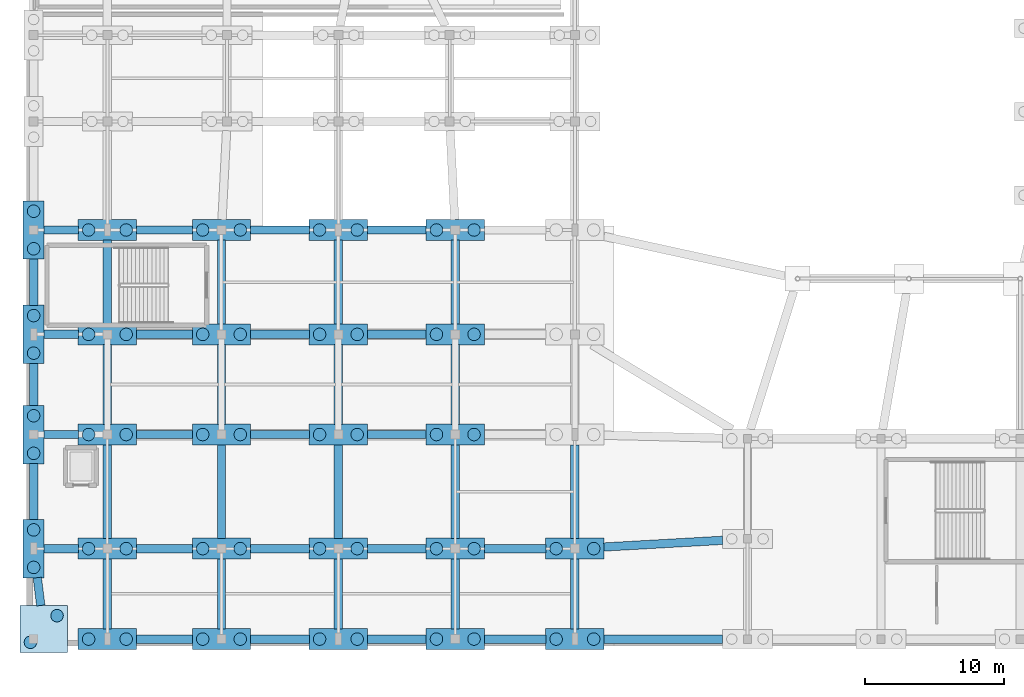
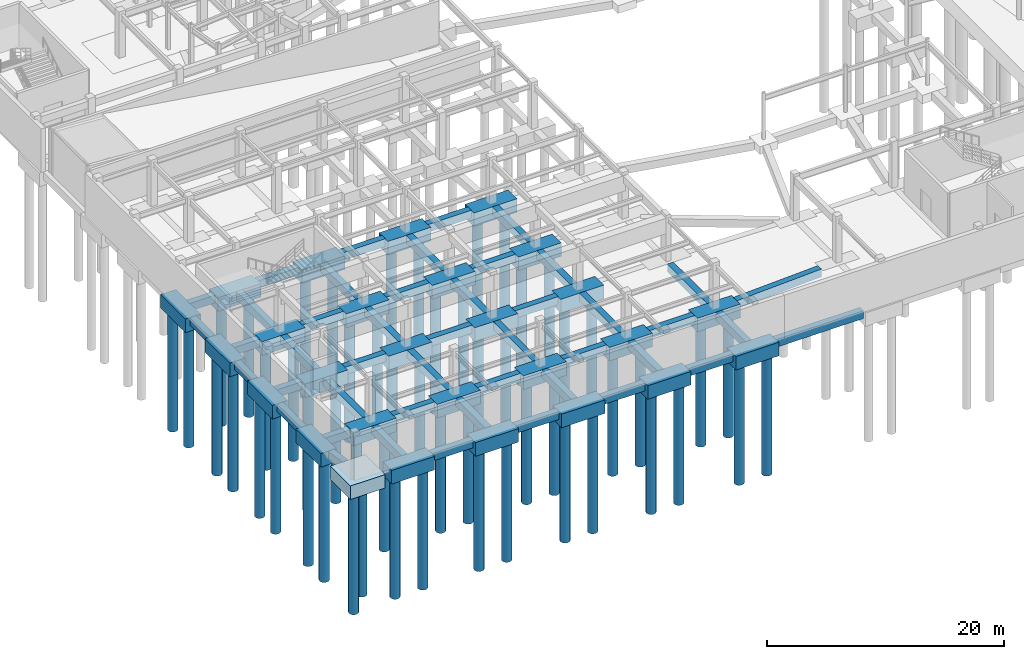
# One storey, part 1 of 68: 72 footings, 54 piles.
"""IFC4 building model written with IfcOpenShell, lengths in metres."""

from ifc_helpers import new_model, si_unit, direction, frame, origin, origin_2d, place, context, subcontext, project, spatial, rectangle, circle, extrude, material, layer, layer_set, material_profile, profile_set, type_object, element, save


model = new_model("IFC4")

# Units and contexts
model_context = context("Model", 3, precision=1e-05, world=origin(), true_north=direction((0.0, 1.0)))
body_context = subcontext(model_context, "Body", "Model", "MODEL_VIEW")
ifc_project = project(units=[si_unit("LENGTHUNIT", "METRE"), si_unit("AREAUNIT", "SQUARE_METRE"), si_unit("VOLUMEUNIT", "CUBIC_METRE"), si_unit("PLANEANGLEUNIT", "RADIAN"), si_unit("MASSUNIT", "GRAM", prefix="KILO")], contexts=[model_context])

# Site, building, storey
site_placement = place(None, origin())
site = spatial("IfcSite", under=ifc_project, at=site_placement, CompositionType="ELEMENT")
building_placement = place(site_placement, origin())
building = spatial("IfcBuilding", under=site, at=building_placement, Name="Cinderbank Siding Concert Hall", CompositionType="ELEMENT")
storey_placement = place(building_placement, frame((0.0, 0.0, -4.800048828125)))
storey = spatial("IfcBuildingStorey", under=building, at=storey_placement, Name="B1", CompositionType="ELEMENT", Elevation=-4.800048828125)

# Piles
ifc_material = material(Name="Reinforced concrete AS 3600 N40 (40 MPa)", Category="concrete")
ifc_material_profile_1 = material_profile(ifc_material, circle(Radius=0.449951171875, at=origin_2d()), Name="PILE-900DIA", Category="LoadBearing")
ifc_profile_set_1 = profile_set([ifc_material_profile_1], Name="Reinforced concrete AS 3600 N40 (40 MPa)")
pile_type = type_object("IfcPileType", Name="BP-900 Bored Pile 900mm", PredefinedType="BORED", material=ifc_profile_set_1)
for number, where, z_axis, x_axis, name in (
    (1, (6.8701171875, 5.8701171875, -1.300048828125), (0.0, 0.0, -1.0), (1.0, 0.0, 0.0), "Bored Pile BP-900 #222"),
    (2, (8.780029296875, 7.780029296875, -1.300048828125), (0.0, 0.0, -1.0), (1.0, 0.0, 0.0), "Bored Pile BP-900 #223"),
    (3, (7.10009765625, 11.25, -1.300048828125), (0.0, 0.0, -1.0), (1.0, 0.0, 0.0), "Bored Pile BP-900 #224"),
    (4, (7.10009765625, 13.949951171875, -1.300048828125), (0.0, 0.0, -1.0), (1.0, 0.0, 0.0), "Bored Pile BP-900 #225"),
    (5, (7.10009765625, 19.449951171875, -1.300048828125), (0.0, 0.0, -1.0), (1.0, 0.0, 0.0), "Bored Pile BP-900 #226"),
    (6, (7.10009765625, 22.14990234375, -1.300048828125), (0.0, 0.0, -1.0), (1.0, 0.0, 0.0), "Bored Pile BP-900 #227"),
    (7, (7.10009765625, 26.64990234375, -1.300048828125), (0.0, 0.0, -1.0), (1.0, 0.0, 0.0), "Bored Pile BP-900 #228"),
    (8, (7.10009765625, 29.35009765625, -1.300048828125), (0.0, 0.0, -1.0), (1.0, 0.0, 0.0), "Bored Pile BP-900 #229"),
    (9, (7.10009765625, 34.14990234375, -1.300048828125), (0.0, 0.0, -1.0), (1.0, 0.0, 0.0), "Bored Pile BP-900 #230"),
    (10, (7.10009765625, 36.85009765625, -1.300048828125), (0.0, 0.0, -1.0), (1.0, 0.0, 0.0), "Bored Pile BP-900 #231"),
    (11, (11.050048828125, 6.10009765625, -1.300048828125), (0.0, 0.0, -1.0), (1.0, 0.0, 0.0), "Bored Pile BP-900 #232"),
    (12, (13.75, 6.10009765625, -1.300048828125), (0.0, 0.0, -1.0), (1.0, 0.0, 0.0), "Bored Pile BP-900 #233"),
    (13, (11.050048828125, 12.60009765625, -1.300048828125), (0.0, 0.0, -1.0), (1.0, 0.0, 0.0), "Bored Pile BP-900 #234"),
    (14, (13.75, 12.60009765625, -1.300048828125), (0.0, 0.0, -1.0), (1.0, 0.0, 0.0), "Bored Pile BP-900 #235"),
    (15, (11.050048828125, 20.800048828125, -1.300048828125), (0.0, 0.0, -1.0), (1.0, 0.0, 0.0), "Bored Pile BP-900 #236"),
    (16, (13.75, 20.800048828125, -1.300048828125), (0.0, 0.0, -1.0), (1.0, 0.0, 0.0), "Bored Pile BP-900 #237"),
    (17, (11.050048828125, 28.0, -1.300048828125), (0.0, 0.0, -1.0), (1.0, 0.0, 0.0), "Bored Pile BP-900 #238"),
    (18, (13.75, 28.0, -1.300048828125), (0.0, 0.0, -1.0), (1.0, 0.0, 0.0), "Bored Pile BP-900 #239"),
    (19, (11.050048828125, 35.5, -1.300048828125), (0.0, 0.0, -1.0), (1.0, 0.0, 0.0), "Bored Pile BP-900 #240"),
    (20, (13.75, 35.5, -1.300048828125), (0.0, 0.0, -1.0), (1.0, 0.0, 0.0), "Bored Pile BP-900 #241"),
    (21, (19.25, 6.10009765625, -1.300048828125), (0.0, 0.0, -1.0), (1.0, 0.0, 0.0), "Bored Pile BP-900 #242"),
    (22, (21.949951171875, 6.10009765625, -1.300048828125), (0.0, 0.0, -1.0), (1.0, 0.0, 0.0), "Bored Pile BP-900 #243"),
    (23, (19.25, 12.60009765625, -1.300048828125), (0.0, 0.0, -1.0), (1.0, 0.0, 0.0), "Bored Pile BP-900 #244"),
    (24, (21.949951171875, 12.60009765625, -1.300048828125), (0.0, 0.0, -1.0), (1.0, 0.0, 0.0), "Bored Pile BP-900 #245"),
    (25, (19.25, 20.800048828125, -1.300048828125), (0.0, 0.0, -1.0), (1.0, 0.0, 0.0), "Bored Pile BP-900 #246"),
    (26, (21.949951171875, 20.800048828125, -1.300048828125), (0.0, 0.0, -1.0), (1.0, 0.0, 0.0), "Bored Pile BP-900 #247"),
    (27, (19.25, 28.0, -1.300048828125), (0.0, 0.0, -1.0), (1.0, 0.0, 0.0), "Bored Pile BP-900 #248"),
    (28, (21.949951171875, 28.0, -1.300048828125), (0.0, 0.0, -1.0), (1.0, 0.0, 0.0), "Bored Pile BP-900 #249"),
    (29, (19.25, 35.5, -1.300048828125), (0.0, 0.0, -1.0), (1.0, 0.0, 0.0), "Bored Pile BP-900 #250"),
    (30, (21.949951171875, 35.5, -1.300048828125), (0.0, 0.0, -1.0), (1.0, 0.0, 0.0), "Bored Pile BP-900 #251"),
    (31, (27.64990234375, 6.10009765625, -1.300048828125), (0.0, 0.0, -1.0), (1.0, 0.0, 0.0), "Bored Pile BP-900 #252"),
    (32, (30.35009765625, 6.10009765625, -1.300048828125), (0.0, 0.0, -1.0), (1.0, 0.0, 0.0), "Bored Pile BP-900 #253"),
    (33, (27.64990234375, 12.60009765625, -1.300048828125), (0.0, 0.0, -1.0), (1.0, 0.0, 0.0), "Bored Pile BP-900 #254"),
    (34, (30.35009765625, 12.60009765625, -1.300048828125), (0.0, 0.0, -1.0), (1.0, 0.0, 0.0), "Bored Pile BP-900 #255"),
    (35, (27.64990234375, 20.800048828125, -1.300048828125), (0.0, 0.0, -1.0), (1.0, 0.0, 0.0), "Bored Pile BP-900 #256"),
    (36, (30.35009765625, 20.800048828125, -1.300048828125), (0.0, 0.0, -1.0), (1.0, 0.0, 0.0), "Bored Pile BP-900 #257"),
    (37, (27.64990234375, 28.0, -1.300048828125), (0.0, 0.0, -1.0), (1.0, 0.0, 0.0), "Bored Pile BP-900 #258"),
    (38, (30.35009765625, 28.0, -1.300048828125), (0.0, 0.0, -1.0), (1.0, 0.0, 0.0), "Bored Pile BP-900 #259"),
    (39, (27.64990234375, 35.5, -1.300048828125), (0.0, 0.0, -1.0), (1.0, 0.0, 0.0), "Bored Pile BP-900 #260"),
    (40, (30.35009765625, 35.5, -1.300048828125), (0.0, 0.0, -1.0), (1.0, 0.0, 0.0), "Bored Pile BP-900 #261"),
    (41, (36.050048828125, 6.10009765625, -1.300048828125), (0.0, 0.0, -1.0), (1.0, 0.0, 0.0), "Bored Pile BP-900 #262"),
    (42, (38.75, 6.10009765625, -1.300048828125), (0.0, 0.0, -1.0), (1.0, 0.0, 0.0), "Bored Pile BP-900 #263"),
    (43, (36.050048828125, 12.60009765625, -1.300048828125), (0.0, 0.0, -1.0), (1.0, 0.0, 0.0), "Bored Pile BP-900 #264"),
    (44, (38.75, 12.60009765625, -1.300048828125), (0.0, 0.0, -1.0), (1.0, 0.0, 0.0), "Bored Pile BP-900 #265"),
    (45, (36.050048828125, 20.800048828125, -1.300048828125), (0.0, 0.0, -1.0), (1.0, 0.0, 0.0), "Bored Pile BP-900 #266"),
    (46, (38.75, 20.800048828125, -1.300048828125), (0.0, 0.0, -1.0), (1.0, 0.0, 0.0), "Bored Pile BP-900 #267"),
    (47, (36.050048828125, 28.0, -1.300048828125), (0.0, 0.0, -1.0), (1.0, 0.0, 0.0), "Bored Pile BP-900 #268"),
    (48, (38.75, 28.0, -1.300048828125), (0.0, 0.0, -1.0), (1.0, 0.0, 0.0), "Bored Pile BP-900 #269"),
    (49, (36.050048828125, 35.5, -1.300048828125), (0.0, 0.0, -1.0), (1.0, 0.0, 0.0), "Bored Pile BP-900 #270"),
    (50, (38.75, 35.5, -1.300048828125), (0.0, 0.0, -1.0), (1.0, 0.0, 0.0), "Bored Pile BP-900 #271"),
    (51, (44.64990234375, 6.10009765625, -1.300048828125), (0.0, 0.0, -1.0), (1.0, 0.0, 0.0), "Bored Pile BP-900 #272"),
    (52, (47.35009765625, 6.10009765625, -1.300048828125), (0.0, 0.0, -1.0), (1.0, 0.0, 0.0), "Bored Pile BP-900 #273"),
    (53, (44.64990234375, 12.60009765625, -1.300048828125), (0.0, 0.0, -1.0), (1.0, 0.0, 0.0), "Bored Pile BP-900 #274"),
    (54, (47.35009765625, 12.60009765625, -1.300048828125), (0.0, 0.0, -1.0), (1.0, 0.0, 0.0), "Bored Pile BP-900 #275"),
):
    element("IfcPile", number, at=place(storey_placement, frame(where, z_axis=z_axis, x_axis=x_axis)), inside=storey, type_object=pile_type, Name=name, PredefinedType="BORED", context=body_context, shape_type="SweptSolid", body=[
        extrude(circle(Radius=0.449951171875, at=origin_2d()), origin(), (0.0, 0.0, 1.0), 12.39990234375),
    ])

# Footings
ifc_material_profile_2 = material_profile(ifc_material, rectangle(XDim=0.60009765625, YDim=0.800048828125, at=origin_2d()), Name="RC-FB-600x800", Category="LoadBearing")
ifc_profile_set_2 = profile_set([ifc_material_profile_2], Name="Reinforced concrete AS 3600 N40 (40 MPa)")
footing_type_1 = type_object("IfcFootingType", Name="FB-01 Tie Beam 600x800", PredefinedType="FOOTING_BEAM", material=ifc_profile_set_2)
footing_1_placement = place(storey_placement, frame((7.61279296875, 8.51513671875, -0.39990234375), z_axis=(-0.124526713542, 0.992216255468, 0.0), x_axis=(-0.992216255468, -0.124526713542, 0.0)))
element("IfcFooting", 55, at=footing_1_placement, inside=storey, type_object=footing_type_1, Name="Foundation Tie Beam #19", PredefinedType="FOOTING_BEAM", context=body_context, shape_type="SweptSolid", body=[
    extrude(rectangle(XDim=0.60009765625, YDim=0.800048828125, at=origin_2d()), origin(), (0.0, 0.0, 1.0), 2.015380859375),
])
footing_2_placement = place(storey_placement, frame((7.8349609375, 12.60009765625, -0.39990234375), z_axis=(1.0, 0.0, 0.0), x_axis=(0.0, 1.0, 0.0)))
element("IfcFooting", 56, at=footing_2_placement, inside=storey, type_object=footing_type_1, Name="Foundation Tie Beam #20", PredefinedType="FOOTING_BEAM", context=body_context, shape_type="SweptSolid", body=[
    extrude(rectangle(XDim=0.60009765625, YDim=0.800048828125, at=origin_2d()), origin(), (0.0, 0.0, 1.0), 2.47998046875),
])
footing_3_placement = place(storey_placement, frame((7.10009765625, 14.68505859375, -0.39990234375), z_axis=(0.0, 1.0, 0.0), x_axis=(-1.0, 0.0, 0.0)))
element("IfcFooting", 57, at=footing_3_placement, inside=storey, type_object=footing_type_1, Name="Foundation Tie Beam #21", PredefinedType="FOOTING_BEAM", context=body_context, shape_type="SweptSolid", body=[
    extrude(rectangle(XDim=0.60009765625, YDim=0.800048828125, at=origin_2d()), origin(), (0.0, 0.0, 1.0), 4.030029296875),
])
footing_4_placement = place(storey_placement, frame((7.8349609375, 20.800048828125, -0.39990234375), z_axis=(1.0, 0.0, 0.0), x_axis=(0.0, 1.0, 0.0)))
element("IfcFooting", 58, at=footing_4_placement, inside=storey, type_object=footing_type_1, Name="Foundation Tie Beam #22", PredefinedType="FOOTING_BEAM", context=body_context, shape_type="SweptSolid", body=[
    extrude(rectangle(XDim=0.60009765625, YDim=0.800048828125, at=origin_2d()), origin(), (0.0, 0.0, 1.0), 2.47998046875),
])
footing_5_placement = place(storey_placement, frame((7.10009765625, 22.885009765625, -0.39990234375), z_axis=(0.0, 1.0, 0.0), x_axis=(-1.0, 0.0, 0.0)))
element("IfcFooting", 59, at=footing_5_placement, inside=storey, type_object=footing_type_1, Name="Foundation Tie Beam #23", PredefinedType="FOOTING_BEAM", context=body_context, shape_type="SweptSolid", body=[
    extrude(rectangle(XDim=0.60009765625, YDim=0.800048828125, at=origin_2d()), origin(), (0.0, 0.0, 1.0), 3.030029296875),
])
footing_6_placement = place(storey_placement, frame((7.8349609375, 28.0, -0.39990234375), z_axis=(1.0, 0.0, 0.0), x_axis=(0.0, 1.0, 0.0)))
element("IfcFooting", 60, at=footing_6_placement, inside=storey, type_object=footing_type_1, Name="Foundation Tie Beam #24", PredefinedType="FOOTING_BEAM", context=body_context, shape_type="SweptSolid", body=[
    extrude(rectangle(XDim=0.60009765625, YDim=0.800048828125, at=origin_2d()), origin(), (0.0, 0.0, 1.0), 2.47998046875),
])
footing_7_placement = place(storey_placement, frame((7.10009765625, 30.0849609375, -0.39990234375), z_axis=(0.0, 1.0, 0.0), x_axis=(-1.0, 0.0, 0.0)))
element("IfcFooting", 61, at=footing_7_placement, inside=storey, type_object=footing_type_1, Name="Foundation Tie Beam #25", PredefinedType="FOOTING_BEAM", context=body_context, shape_type="SweptSolid", body=[
    extrude(rectangle(XDim=0.60009765625, YDim=0.800048828125, at=origin_2d()), origin(), (0.0, 0.0, 1.0), 3.330078125),
])
footing_8_placement = place(storey_placement, frame((7.8349609375, 35.5, -0.39990234375), z_axis=(1.0, 0.0, 0.0), x_axis=(0.0, 1.0, 0.0)))
element("IfcFooting", 62, at=footing_8_placement, inside=storey, type_object=footing_type_1, Name="Foundation Tie Beam #26", PredefinedType="FOOTING_BEAM", context=body_context, shape_type="SweptSolid", body=[
    extrude(rectangle(XDim=0.60009765625, YDim=0.800048828125, at=origin_2d()), origin(), (0.0, 0.0, 1.0), 2.47998046875),
])
footing_9_placement = place(storey_placement, frame((14.485107421875, 6.10009765625, -0.39990234375), z_axis=(1.0, 0.0, 0.0), x_axis=(0.0, 1.0, 0.0)))
element("IfcFooting", 63, at=footing_9_placement, inside=storey, type_object=footing_type_1, Name="Foundation Tie Beam #28", PredefinedType="FOOTING_BEAM", context=body_context, shape_type="SweptSolid", body=[
    extrude(rectangle(XDim=0.60009765625, YDim=0.800048828125, at=origin_2d()), origin(), (0.0, 0.0, 1.0), 4.02978515625),
])
footing_10_placement = place(storey_placement, frame((12.39990234375, 6.8349609375, -0.39990234375), z_axis=(0.0, 1.0, 0.0), x_axis=(-1.0, 0.0, 0.0)))
element("IfcFooting", 64, at=footing_10_placement, inside=storey, type_object=footing_type_1, Name="Foundation Tie Beam #29", PredefinedType="FOOTING_BEAM", context=body_context, shape_type="SweptSolid", body=[
    extrude(rectangle(XDim=0.60009765625, YDim=0.800048828125, at=origin_2d()), origin(), (0.0, 0.0, 1.0), 5.030029296875),
])
footing_11_placement = place(storey_placement, frame((14.485107421875, 12.60009765625, -0.39990234375), z_axis=(1.0, 0.0, 0.0), x_axis=(0.0, 1.0, 0.0)))
element("IfcFooting", 65, at=footing_11_placement, inside=storey, type_object=footing_type_1, Name="Foundation Tie Beam #30", PredefinedType="FOOTING_BEAM", context=body_context, shape_type="SweptSolid", body=[
    extrude(rectangle(XDim=0.60009765625, YDim=0.800048828125, at=origin_2d()), origin(), (0.0, 0.0, 1.0), 4.02978515625),
])
footing_12_placement = place(storey_placement, frame((12.39990234375, 13.3349609375, -0.39990234375), z_axis=(0.0, 1.0, 0.0), x_axis=(-1.0, 0.0, 0.0)))
element("IfcFooting", 66, at=footing_12_placement, inside=storey, type_object=footing_type_1, Name="Foundation Tie Beam #31", PredefinedType="FOOTING_BEAM", context=body_context, shape_type="SweptSolid", body=[
    extrude(rectangle(XDim=0.60009765625, YDim=0.800048828125, at=origin_2d()), origin(), (0.0, 0.0, 1.0), 6.72998046875),
])
footing_13_placement = place(storey_placement, frame((14.485107421875, 20.800048828125, -0.39990234375), z_axis=(1.0, 0.0, 0.0), x_axis=(0.0, 1.0, 0.0)))
element("IfcFooting", 67, at=footing_13_placement, inside=storey, type_object=footing_type_1, Name="Foundation Tie Beam #32", PredefinedType="FOOTING_BEAM", context=body_context, shape_type="SweptSolid", body=[
    extrude(rectangle(XDim=0.60009765625, YDim=0.800048828125, at=origin_2d()), origin(), (0.0, 0.0, 1.0), 4.02978515625),
])
footing_14_placement = place(storey_placement, frame((12.39990234375, 21.534912109375, -0.39990234375), z_axis=(0.0, 1.0, 0.0), x_axis=(-1.0, 0.0, 0.0)))
element("IfcFooting", 68, at=footing_14_placement, inside=storey, type_object=footing_type_1, Name="Foundation Tie Beam #33", PredefinedType="FOOTING_BEAM", context=body_context, shape_type="SweptSolid", body=[
    extrude(rectangle(XDim=0.60009765625, YDim=0.800048828125, at=origin_2d()), origin(), (0.0, 0.0, 1.0), 5.72998046875),
])
footing_15_placement = place(storey_placement, frame((14.485107421875, 28.0, -0.39990234375), z_axis=(1.0, 0.0, 0.0), x_axis=(0.0, 1.0, 0.0)))
element("IfcFooting", 69, at=footing_15_placement, inside=storey, type_object=footing_type_1, Name="Foundation Tie Beam #34", PredefinedType="FOOTING_BEAM", context=body_context, shape_type="SweptSolid", body=[
    extrude(rectangle(XDim=0.60009765625, YDim=0.800048828125, at=origin_2d()), origin(), (0.0, 0.0, 1.0), 4.02978515625),
])
footing_16_placement = place(storey_placement, frame((12.39990234375, 28.735107421875, -0.39990234375), z_axis=(0.0, 1.0, 0.0), x_axis=(-1.0, 0.0, 0.0)))
element("IfcFooting", 70, at=footing_16_placement, inside=storey, type_object=footing_type_1, Name="Foundation Tie Beam #35", PredefinedType="FOOTING_BEAM", context=body_context, shape_type="SweptSolid", body=[
    extrude(rectangle(XDim=0.60009765625, YDim=0.800048828125, at=origin_2d()), origin(), (0.0, 0.0, 1.0), 6.02978515625),
])
footing_17_placement = place(storey_placement, frame((14.485107421875, 35.5, -0.39990234375), z_axis=(1.0, 0.0, 0.0), x_axis=(0.0, 1.0, 0.0)))
element("IfcFooting", 71, at=footing_17_placement, inside=storey, type_object=footing_type_1, Name="Foundation Tie Beam #36", PredefinedType="FOOTING_BEAM", context=body_context, shape_type="SweptSolid", body=[
    extrude(rectangle(XDim=0.60009765625, YDim=0.800048828125, at=origin_2d()), origin(), (0.0, 0.0, 1.0), 4.02978515625),
])
footing_18_placement = place(storey_placement, frame((22.68505859375, 6.10009765625, -0.39990234375), z_axis=(1.0, 0.0, 0.0), x_axis=(0.0, 1.0, 0.0)))
element("IfcFooting", 72, at=footing_18_placement, inside=storey, type_object=footing_type_1, Name="Foundation Tie Beam #38", PredefinedType="FOOTING_BEAM", context=body_context, shape_type="SweptSolid", body=[
    extrude(rectangle(XDim=0.60009765625, YDim=0.800048828125, at=origin_2d()), origin(), (0.0, 0.0, 1.0), 4.22998046875),
])
footing_19_placement = place(storey_placement, frame((20.60009765625, 6.8349609375, -0.39990234375), z_axis=(0.0, 1.0, 0.0), x_axis=(-1.0, 0.0, 0.0)))
element("IfcFooting", 73, at=footing_19_placement, inside=storey, type_object=footing_type_1, Name="Foundation Tie Beam #39", PredefinedType="FOOTING_BEAM", context=body_context, shape_type="SweptSolid", body=[
    extrude(rectangle(XDim=0.60009765625, YDim=0.800048828125, at=origin_2d()), origin(), (0.0, 0.0, 1.0), 5.030029296875),
])
footing_20_placement = place(storey_placement, frame((22.68505859375, 12.60009765625, -0.39990234375), z_axis=(1.0, 0.0, 0.0), x_axis=(0.0, 1.0, 0.0)))
element("IfcFooting", 74, at=footing_20_placement, inside=storey, type_object=footing_type_1, Name="Foundation Tie Beam #40", PredefinedType="FOOTING_BEAM", context=body_context, shape_type="SweptSolid", body=[
    extrude(rectangle(XDim=0.60009765625, YDim=0.800048828125, at=origin_2d()), origin(), (0.0, 0.0, 1.0), 4.22998046875),
])
footing_21_placement = place(storey_placement, frame((20.60009765625, 13.3349609375, -0.39990234375), z_axis=(0.0, 1.0, 0.0), x_axis=(-1.0, 0.0, 0.0)))
element("IfcFooting", 75, at=footing_21_placement, inside=storey, type_object=footing_type_1, Name="Foundation Tie Beam #41", PredefinedType="FOOTING_BEAM", context=body_context, shape_type="SweptSolid", body=[
    extrude(rectangle(XDim=0.60009765625, YDim=0.800048828125, at=origin_2d()), origin(), (0.0, 0.0, 1.0), 6.72998046875),
])
footing_22_placement = place(storey_placement, frame((22.68505859375, 20.800048828125, -0.39990234375), z_axis=(1.0, 0.0, 0.0), x_axis=(0.0, 1.0, 0.0)))
element("IfcFooting", 76, at=footing_22_placement, inside=storey, type_object=footing_type_1, Name="Foundation Tie Beam #42", PredefinedType="FOOTING_BEAM", context=body_context, shape_type="SweptSolid", body=[
    extrude(rectangle(XDim=0.60009765625, YDim=0.800048828125, at=origin_2d()), origin(), (0.0, 0.0, 1.0), 4.22998046875),
])
footing_23_placement = place(storey_placement, frame((20.60009765625, 21.534912109375, -0.39990234375), z_axis=(0.0, 1.0, 0.0), x_axis=(-1.0, 0.0, 0.0)))
element("IfcFooting", 77, at=footing_23_placement, inside=storey, type_object=footing_type_1, Name="Foundation Tie Beam #43", PredefinedType="FOOTING_BEAM", context=body_context, shape_type="SweptSolid", body=[
    extrude(rectangle(XDim=0.60009765625, YDim=0.800048828125, at=origin_2d()), origin(), (0.0, 0.0, 1.0), 5.72998046875),
])
footing_24_placement = place(storey_placement, frame((22.68505859375, 28.0, -0.39990234375), z_axis=(1.0, 0.0, 0.0), x_axis=(0.0, 1.0, 0.0)))
element("IfcFooting", 78, at=footing_24_placement, inside=storey, type_object=footing_type_1, Name="Foundation Tie Beam #44", PredefinedType="FOOTING_BEAM", context=body_context, shape_type="SweptSolid", body=[
    extrude(rectangle(XDim=0.60009765625, YDim=0.800048828125, at=origin_2d()), origin(), (0.0, 0.0, 1.0), 4.22998046875),
])
footing_25_placement = place(storey_placement, frame((20.60009765625, 28.735107421875, -0.39990234375), z_axis=(0.0, 1.0, 0.0), x_axis=(-1.0, 0.0, 0.0)))
element("IfcFooting", 79, at=footing_25_placement, inside=storey, type_object=footing_type_1, Name="Foundation Tie Beam #45", PredefinedType="FOOTING_BEAM", context=body_context, shape_type="SweptSolid", body=[
    extrude(rectangle(XDim=0.60009765625, YDim=0.800048828125, at=origin_2d()), origin(), (0.0, 0.0, 1.0), 6.02978515625),
])
for number, where, z_axis, x_axis, name in (
    (80, (22.68505859375, 35.5, -0.39990234375), (1.0, 0.0, 0.0), (0.0, 1.0, 0.0), "Foundation Tie Beam #46"),
    (81, (31.0849609375, 6.10009765625, -0.39990234375), (1.0, 0.0, 0.0), (0.0, 1.0, 0.0), "Foundation Tie Beam #48"),
):
    element("IfcFooting", number, at=place(storey_placement, frame(where, z_axis=z_axis, x_axis=x_axis)), inside=storey, type_object=footing_type_1, Name=name, PredefinedType="FOOTING_BEAM", context=body_context, shape_type="SweptSolid", body=[
        extrude(rectangle(XDim=0.60009765625, YDim=0.800048828125, at=origin_2d()), origin(), (0.0, 0.0, 1.0), 4.22998046875),
    ])
footing_26_placement = place(storey_placement, frame((29.0, 6.8349609375, -0.39990234375), z_axis=(0.0, 1.0, 0.0), x_axis=(-1.0, 0.0, 0.0)))
element("IfcFooting", 82, at=footing_26_placement, inside=storey, type_object=footing_type_1, Name="Foundation Tie Beam #49", PredefinedType="FOOTING_BEAM", context=body_context, shape_type="SweptSolid", body=[
    extrude(rectangle(XDim=0.60009765625, YDim=0.800048828125, at=origin_2d()), origin(), (0.0, 0.0, 1.0), 5.030029296875),
])
footing_27_placement = place(storey_placement, frame((31.0849609375, 12.60009765625, -0.39990234375), z_axis=(1.0, 0.0, 0.0), x_axis=(0.0, 1.0, 0.0)))
element("IfcFooting", 83, at=footing_27_placement, inside=storey, type_object=footing_type_1, Name="Foundation Tie Beam #50", PredefinedType="FOOTING_BEAM", context=body_context, shape_type="SweptSolid", body=[
    extrude(rectangle(XDim=0.60009765625, YDim=0.800048828125, at=origin_2d()), origin(), (0.0, 0.0, 1.0), 4.22998046875),
])
footing_28_placement = place(storey_placement, frame((29.0, 13.3349609375, -0.39990234375), z_axis=(0.0, 1.0, 0.0), x_axis=(-1.0, 0.0, 0.0)))
element("IfcFooting", 84, at=footing_28_placement, inside=storey, type_object=footing_type_1, Name="Foundation Tie Beam #51", PredefinedType="FOOTING_BEAM", context=body_context, shape_type="SweptSolid", body=[
    extrude(rectangle(XDim=0.60009765625, YDim=0.800048828125, at=origin_2d()), origin(), (0.0, 0.0, 1.0), 6.72998046875),
])
footing_29_placement = place(storey_placement, frame((31.0849609375, 20.800048828125, -0.39990234375), z_axis=(1.0, 0.0, 0.0), x_axis=(0.0, 1.0, 0.0)))
element("IfcFooting", 85, at=footing_29_placement, inside=storey, type_object=footing_type_1, Name="Foundation Tie Beam #52", PredefinedType="FOOTING_BEAM", context=body_context, shape_type="SweptSolid", body=[
    extrude(rectangle(XDim=0.60009765625, YDim=0.800048828125, at=origin_2d()), origin(), (0.0, 0.0, 1.0), 4.22998046875),
])
footing_30_placement = place(storey_placement, frame((29.0, 21.534912109375, -0.39990234375), z_axis=(0.0, 1.0, 0.0), x_axis=(-1.0, 0.0, 0.0)))
element("IfcFooting", 86, at=footing_30_placement, inside=storey, type_object=footing_type_1, Name="Foundation Tie Beam #53", PredefinedType="FOOTING_BEAM", context=body_context, shape_type="SweptSolid", body=[
    extrude(rectangle(XDim=0.60009765625, YDim=0.800048828125, at=origin_2d()), origin(), (0.0, 0.0, 1.0), 5.72998046875),
])
footing_31_placement = place(storey_placement, frame((31.0849609375, 28.0, -0.39990234375), z_axis=(1.0, 0.0, 0.0), x_axis=(0.0, 1.0, 0.0)))
element("IfcFooting", 87, at=footing_31_placement, inside=storey, type_object=footing_type_1, Name="Foundation Tie Beam #54", PredefinedType="FOOTING_BEAM", context=body_context, shape_type="SweptSolid", body=[
    extrude(rectangle(XDim=0.60009765625, YDim=0.800048828125, at=origin_2d()), origin(), (0.0, 0.0, 1.0), 4.22998046875),
])
footing_32_placement = place(storey_placement, frame((29.0, 28.735107421875, -0.39990234375), z_axis=(0.0, 1.0, 0.0), x_axis=(-1.0, 0.0, 0.0)))
element("IfcFooting", 88, at=footing_32_placement, inside=storey, type_object=footing_type_1, Name="Foundation Tie Beam #55", PredefinedType="FOOTING_BEAM", context=body_context, shape_type="SweptSolid", body=[
    extrude(rectangle(XDim=0.60009765625, YDim=0.800048828125, at=origin_2d()), origin(), (0.0, 0.0, 1.0), 6.02978515625),
])
footing_33_placement = place(storey_placement, frame((31.0849609375, 35.5, -0.39990234375), z_axis=(1.0, 0.0, 0.0), x_axis=(0.0, 1.0, 0.0)))
element("IfcFooting", 89, at=footing_33_placement, inside=storey, type_object=footing_type_1, Name="Foundation Tie Beam #56", PredefinedType="FOOTING_BEAM", context=body_context, shape_type="SweptSolid", body=[
    extrude(rectangle(XDim=0.60009765625, YDim=0.800048828125, at=origin_2d()), origin(), (0.0, 0.0, 1.0), 4.22998046875),
])
footing_34_placement = place(storey_placement, frame((39.485107421875, 6.10009765625, -0.39990234375), z_axis=(1.0, 0.0, 0.0), x_axis=(0.0, 1.0, 0.0)))
element("IfcFooting", 90, at=footing_34_placement, inside=storey, type_object=footing_type_1, Name="Foundation Tie Beam #58", PredefinedType="FOOTING_BEAM", context=body_context, shape_type="SweptSolid", body=[
    extrude(rectangle(XDim=0.60009765625, YDim=0.800048828125, at=origin_2d()), origin(), (0.0, 0.0, 1.0), 4.429931640625),
])
footing_35_placement = place(storey_placement, frame((37.39990234375, 6.8349609375, -0.39990234375), z_axis=(0.0, 1.0, 0.0), x_axis=(-1.0, 0.0, 0.0)))
element("IfcFooting", 91, at=footing_35_placement, inside=storey, type_object=footing_type_1, Name="Foundation Tie Beam #59", PredefinedType="FOOTING_BEAM", context=body_context, shape_type="SweptSolid", body=[
    extrude(rectangle(XDim=0.60009765625, YDim=0.800048828125, at=origin_2d()), origin(), (0.0, 0.0, 1.0), 5.030029296875),
])
footing_36_placement = place(storey_placement, frame((39.485107421875, 12.60009765625, -0.39990234375), z_axis=(1.0, 0.0, 0.0), x_axis=(0.0, 1.0, 0.0)))
element("IfcFooting", 92, at=footing_36_placement, inside=storey, type_object=footing_type_1, Name="Foundation Tie Beam #60", PredefinedType="FOOTING_BEAM", context=body_context, shape_type="SweptSolid", body=[
    extrude(rectangle(XDim=0.60009765625, YDim=0.800048828125, at=origin_2d()), origin(), (0.0, 0.0, 1.0), 4.429931640625),
])
footing_37_placement = place(storey_placement, frame((37.39990234375, 13.3349609375, -0.39990234375), z_axis=(0.0, 1.0, 0.0), x_axis=(-1.0, 0.0, 0.0)))
element("IfcFooting", 93, at=footing_37_placement, inside=storey, type_object=footing_type_1, Name="Foundation Tie Beam #61", PredefinedType="FOOTING_BEAM", context=body_context, shape_type="SweptSolid", body=[
    extrude(rectangle(XDim=0.60009765625, YDim=0.800048828125, at=origin_2d()), origin(), (0.0, 0.0, 1.0), 6.72998046875),
])
footing_38_placement = place(storey_placement, frame((37.39990234375, 21.534912109375, -0.39990234375), z_axis=(0.0, 1.0, 0.0), x_axis=(-1.0, 0.0, 0.0)))
element("IfcFooting", 94, at=footing_38_placement, inside=storey, type_object=footing_type_1, Name="Foundation Tie Beam #63", PredefinedType="FOOTING_BEAM", context=body_context, shape_type="SweptSolid", body=[
    extrude(rectangle(XDim=0.60009765625, YDim=0.800048828125, at=origin_2d()), origin(), (0.0, 0.0, 1.0), 5.72998046875),
])
footing_39_placement = place(storey_placement, frame((37.39990234375, 28.735107421875, -0.39990234375), z_axis=(0.0, 1.0, 0.0), x_axis=(-1.0, 0.0, 0.0)))
element("IfcFooting", 95, at=footing_39_placement, inside=storey, type_object=footing_type_1, Name="Foundation Tie Beam #65", PredefinedType="FOOTING_BEAM", context=body_context, shape_type="SweptSolid", body=[
    extrude(rectangle(XDim=0.60009765625, YDim=0.800048828125, at=origin_2d()), origin(), (0.0, 0.0, 1.0), 6.02978515625),
])
footing_40_placement = place(storey_placement, frame((48.0849609375, 6.10009765625, -0.39990234375), z_axis=(1.0, 0.0, 0.0), x_axis=(0.0, 1.0, 0.0)))
element("IfcFooting", 96, at=footing_40_placement, inside=storey, type_object=footing_type_1, Name="Foundation Tie Beam #68", PredefinedType="FOOTING_BEAM", context=body_context, shape_type="SweptSolid", body=[
    extrude(rectangle(XDim=0.60009765625, YDim=0.800048828125, at=origin_2d()), origin(), (0.0, 0.0, 1.0), 8.530029296875),
])
footing_41_placement = place(storey_placement, frame((46.0, 6.8349609375, -0.39990234375), z_axis=(0.0, 1.0, 0.0), x_axis=(-1.0, 0.0, 0.0)))
element("IfcFooting", 97, at=footing_41_placement, inside=storey, type_object=footing_type_1, Name="Foundation Tie Beam #69", PredefinedType="FOOTING_BEAM", context=body_context, shape_type="SweptSolid", body=[
    extrude(rectangle(XDim=0.60009765625, YDim=0.800048828125, at=origin_2d()), origin(), (0.0, 0.0, 1.0), 5.030029296875),
])
footing_42_placement = place(storey_placement, frame((48.0849609375, 12.7177734375, -0.39990234375), z_axis=(0.998410989468, 0.056351540434, 0.0), x_axis=(-0.056351540434, 0.998410989468, 0.0)))
element("IfcFooting", 98, at=footing_42_placement, inside=storey, type_object=footing_type_1, Name="Foundation Tie Beam #70", PredefinedType="FOOTING_BEAM", context=body_context, shape_type="SweptSolid", body=[
    extrude(rectangle(XDim=0.60009765625, YDim=0.800048828125, at=origin_2d()), origin(), (0.0, 0.0, 1.0), 8.543701171875),
])
footing_43_placement = place(storey_placement, frame((46.0, 13.3349609375, -0.39990234375), z_axis=(0.0, 1.0, 0.0), x_axis=(-1.0, 0.0, 0.0)))
element("IfcFooting", 99, at=footing_43_placement, inside=storey, type_object=footing_type_1, Name="Foundation Tie Beam #71", PredefinedType="FOOTING_BEAM", context=body_context, shape_type="SweptSolid", body=[
    extrude(rectangle(XDim=0.60009765625, YDim=0.800048828125, at=origin_2d()), origin(), (0.0, 0.0, 1.0), 6.72998046875),
])
ifc_layer_1 = layer(ifc_material, 1.39990234375)
ifc_layer_set_1 = layer_set([ifc_layer_1], Name="Reinforced concrete AS 3600 N40 (40 MPa)")
footing_type_2 = type_object("IfcFootingType", Name="PC-05 Pile Cap 4200x1500x1400", PredefinedType="PILE_CAP", material=ifc_layer_set_1)
for number, where, z_axis, x_axis, name in (
    (100, (12.39990234375, 6.10009765625, -1.39990234375), (0.0, 0.0, 1.0), (1.0, 0.0, 0.0), "Pile Cap PC-05 #22"),
    (101, (12.39990234375, 12.60009765625, -1.39990234375), (0.0, 0.0, 1.0), (1.0, 0.0, 0.0), "Pile Cap PC-05 #23"),
    (102, (12.39990234375, 20.800048828125, -1.39990234375), (0.0, 0.0, 1.0), (1.0, 0.0, 0.0), "Pile Cap PC-05 #24"),
    (103, (12.39990234375, 28.0, -1.39990234375), (0.0, 0.0, 1.0), (1.0, 0.0, 0.0), "Pile Cap PC-05 #25"),
    (104, (12.39990234375, 35.5, -1.39990234375), (0.0, 0.0, 1.0), (1.0, 0.0, 0.0), "Pile Cap PC-05 #26"),
    (105, (20.60009765625, 6.10009765625, -1.39990234375), (0.0, 0.0, 1.0), (1.0, 0.0, 0.0), "Pile Cap PC-05 #27"),
    (106, (20.60009765625, 12.60009765625, -1.39990234375), (0.0, 0.0, 1.0), (1.0, 0.0, 0.0), "Pile Cap PC-05 #28"),
    (107, (20.60009765625, 20.800048828125, -1.39990234375), (0.0, 0.0, 1.0), (1.0, 0.0, 0.0), "Pile Cap PC-05 #29"),
    (108, (20.60009765625, 28.0, -1.39990234375), (0.0, 0.0, 1.0), (1.0, 0.0, 0.0), "Pile Cap PC-05 #30"),
    (109, (20.60009765625, 35.5, -1.39990234375), (0.0, 0.0, 1.0), (1.0, 0.0, 0.0), "Pile Cap PC-05 #31"),
    (110, (29.0, 6.10009765625, -1.39990234375), (0.0, 0.0, 1.0), (1.0, 0.0, 0.0), "Pile Cap PC-05 #32"),
    (111, (29.0, 12.60009765625, -1.39990234375), (0.0, 0.0, 1.0), (1.0, 0.0, 0.0), "Pile Cap PC-05 #33"),
    (112, (29.0, 20.800048828125, -1.39990234375), (0.0, 0.0, 1.0), (1.0, 0.0, 0.0), "Pile Cap PC-05 #34"),
    (113, (29.0, 28.0, -1.39990234375), (0.0, 0.0, 1.0), (1.0, 0.0, 0.0), "Pile Cap PC-05 #35"),
    (114, (29.0, 35.5, -1.39990234375), (0.0, 0.0, 1.0), (1.0, 0.0, 0.0), "Pile Cap PC-05 #36"),
    (115, (37.39990234375, 6.10009765625, -1.39990234375), (0.0, 0.0, 1.0), (1.0, 0.0, 0.0), "Pile Cap PC-05 #37"),
    (116, (37.39990234375, 12.60009765625, -1.39990234375), (0.0, 0.0, 1.0), (1.0, 0.0, 0.0), "Pile Cap PC-05 #38"),
    (117, (37.39990234375, 20.800048828125, -1.39990234375), (0.0, 0.0, 1.0), (1.0, 0.0, 0.0), "Pile Cap PC-05 #39"),
    (118, (37.39990234375, 28.0, -1.39990234375), (0.0, 0.0, 1.0), (1.0, 0.0, 0.0), "Pile Cap PC-05 #40"),
    (119, (37.39990234375, 35.5, -1.39990234375), (0.0, 0.0, 1.0), (1.0, 0.0, 0.0), "Pile Cap PC-05 #41"),
    (120, (46.0, 6.10009765625, -1.39990234375), (0.0, 0.0, 1.0), (1.0, 0.0, 0.0), "Pile Cap PC-05 #42"),
    (121, (46.0, 12.60009765625, -1.39990234375), (0.0, 0.0, 1.0), (1.0, 0.0, 0.0), "Pile Cap PC-05 #43"),
):
    element("IfcFooting", number, at=place(storey_placement, frame(where, z_axis=z_axis, x_axis=x_axis)), inside=storey, type_object=footing_type_2, Name=name, PredefinedType="PILE_CAP", context=body_context, shape_type="SweptSolid", body=[
        extrude(rectangle(XDim=4.199951171875, YDim=1.5, at=origin_2d()), origin(), (0.0, 0.0, 1.0), 1.39990234375),
    ])
ifc_layer_2 = layer(ifc_material, 1.39990234375)
ifc_layer_set_2 = layer_set([ifc_layer_2], Name="Reinforced concrete AS 3600 N40 (40 MPa)")
footing_type_3 = type_object("IfcFootingType", Name="PC-10 Pile Cap 3410x3410x1400", PredefinedType="PILE_CAP", material=ifc_layer_set_2)
footing_44_placement = place(storey_placement, frame((7.824951171875, 6.824951171875, -1.39990234375), z_axis=(0.0, 0.0, 1.0), x_axis=(1.0, 0.0, 0.0)))
element("IfcFooting", 122, at=footing_44_placement, inside=storey, type_object=footing_type_3, Name="Pile Cap PC-10 #17", PredefinedType="PILE_CAP", context=body_context, shape_type="SweptSolid", body=[
    extrude(rectangle(XDim=3.409912109375, YDim=3.409912109375, at=origin_2d()), origin(), (0.0, 0.0, 1.0), 1.39990234375),
])
ifc_layer_3 = layer(ifc_material, 1.39990234375)
ifc_layer_set_3 = layer_set([ifc_layer_3], Name="Reinforced concrete AS 3600 N40 (40 MPa)")
footing_type_4 = type_object("IfcFootingType", Name="PC-11 Pile Cap 1500x4200x1400", PredefinedType="PILE_CAP", material=ifc_layer_set_3)
for number, where, z_axis, x_axis, name in (
    (123, (7.10009765625, 12.60009765625, -1.39990234375), (0.0, 0.0, 1.0), (1.0, 0.0, 0.0), "Pile Cap PC-11 #18"),
    (124, (7.10009765625, 20.800048828125, -1.39990234375), (0.0, 0.0, 1.0), (1.0, 0.0, 0.0), "Pile Cap PC-11 #19"),
    (125, (7.10009765625, 28.0, -1.39990234375), (0.0, 0.0, 1.0), (1.0, 0.0, 0.0), "Pile Cap PC-11 #20"),
    (126, (7.10009765625, 35.5, -1.39990234375), (0.0, 0.0, 1.0), (1.0, 0.0, 0.0), "Pile Cap PC-11 #21"),
):
    element("IfcFooting", number, at=place(storey_placement, frame(where, z_axis=z_axis, x_axis=x_axis)), inside=storey, type_object=footing_type_4, Name=name, PredefinedType="PILE_CAP", context=body_context, shape_type="SweptSolid", body=[
        extrude(rectangle(XDim=1.5, YDim=4.199951171875, at=origin_2d()), origin(), (0.0, 0.0, 1.0), 1.39990234375),
    ])

save(model, "model.ifc")
